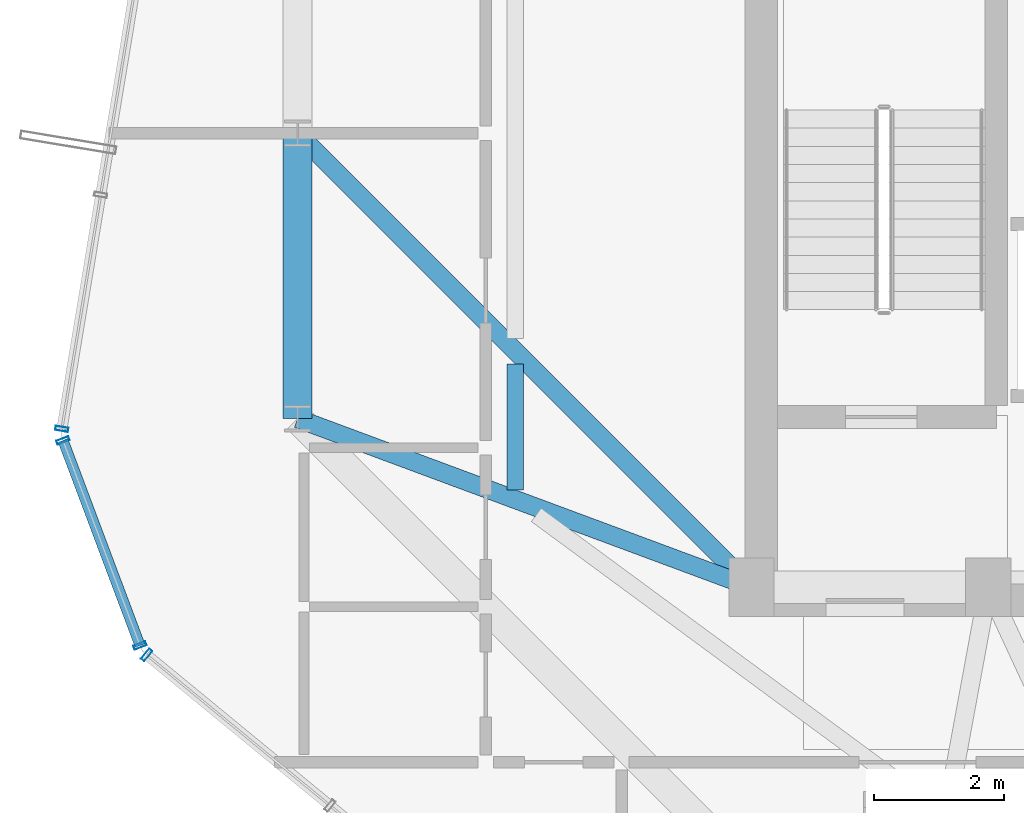
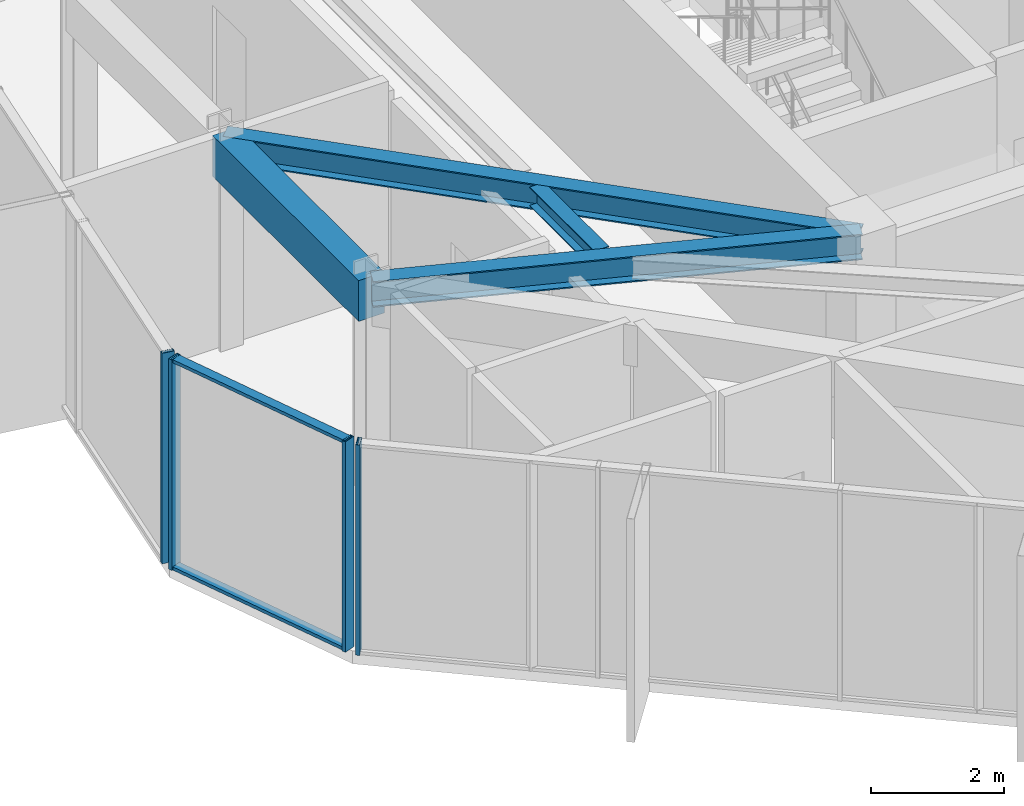
# One storey, part 4 of 22: 6 members, 4 beams, 3 elements without a shape of their own.
"""IFC4 building model written with IfcOpenShell, lengths in metres."""

from ifc_helpers import new_model, si_unit, direction, frame, origin, origin_2d, place, context, subcontext, project, spatial, rectangle, hollow_rectangle, i_section, extrude, source, transform, mapped, material, layer, layer_set, material_profile, profile_set, type_object, element, aggregate, save


model = new_model("IFC4")

# Units and contexts
model_context = context("Model", 3, precision=1e-05, world=origin(), true_north=direction((0.0, 1.0)))
body_context = subcontext(model_context, "Body", "Model", "MODEL_VIEW")
ifc_project = project(units=[si_unit("LENGTHUNIT", "METRE"), si_unit("AREAUNIT", "SQUARE_METRE"), si_unit("VOLUMEUNIT", "CUBIC_METRE"), si_unit("PLANEANGLEUNIT", "RADIAN"), si_unit("MASSUNIT", "GRAM", prefix="KILO")], contexts=[model_context])

# Site, building, storey
site_placement = place(None, origin())
site = spatial("IfcSite", under=ifc_project, at=site_placement, CompositionType="ELEMENT")
building_placement = place(site_placement, origin())
building = spatial("IfcBuilding", under=site, at=building_placement, Name="Veraguas Prism Commons", CompositionType="ELEMENT")
storey_placement = place(building_placement, frame((0.0, 0.0, 240.64990234375)))
storey = spatial("IfcBuildingStorey", under=building, at=storey_placement, Name="L68", CompositionType="ELEMENT", Elevation=240.64990234375)

# Beams
ifc_material_1 = material(Name="Concrete C50/60", Category="concrete")
ifc_material_profile_1 = material_profile(ifc_material_1, rectangle(XDim=0.449951171875, YDim=0.75, at=origin_2d()), Name="RC450X750")
ifc_profile_set_1 = profile_set([ifc_material_profile_1], Name="Concrete C50/60")
beam_type_1 = type_object("IfcBeamType", Name="Perimeter Spandrel Upper RC 450x750", PredefinedType="SPANDREL", material=ifc_profile_set_1)
beam_1_placement = place(storey_placement, frame((10.199951171875, 24.0, 3.489990234375), z_axis=(0.0, -1.0, 0.0), x_axis=(1.0, 0.0, 0.0)))
element("IfcBeam", 1, at=beam_1_placement, inside=storey, type_object=beam_type_1, Name="Perimeter Spandrel Beam L68-SP08", PredefinedType="SPANDREL", context=body_context, shape_type="SweptSolid", body=[
    extrude(rectangle(XDim=0.449951171875, YDim=0.75, at=origin_2d()), origin(), (0.0, 0.0, 1.0), 4.39990234375),
])
ifc_material_2 = material(Name="Steel ASTM A992 Grade 50", Category="steel")
ifc_material_profile_2 = material_profile(ifc_material_2, i_section(OverallWidth=0.25390625, OverallDepth=0.35302734375, WebThickness=0.009521484375, FlangeThickness=0.016357421875, at=origin_2d()), Name="W360X91")
ifc_profile_set_2 = profile_set([ifc_material_profile_2], Name="Steel ASTM A992 Grade 50")
beam_type_2 = type_object("IfcBeamType", Name="Upper Floor Joist W360x91", PredefinedType="JOIST", material=ifc_profile_set_2)
beam_2_placement = place(storey_placement, frame((13.56005859375, 20.442626953125, 3.6884765625), z_axis=(0.0, -1.0, 0.0), x_axis=(1.0, 0.0, 0.0)))
element("IfcBeam", 2, at=beam_2_placement, inside=storey, type_object=beam_type_2, Name="Composite Floor Joist L68-JS08", PredefinedType="JOIST", context=body_context, shape_type="SweptSolid", body=[
    extrude(i_section(OverallWidth=0.25390625, OverallDepth=0.35302734375, WebThickness=0.009521484375, FlangeThickness=0.016357421875, at=origin_2d()), origin(), (0.0, 0.0, 1.0), 1.94189453125),
])
ifc_material_profile_3 = material_profile(ifc_material_2, i_section(OverallWidth=0.282958984375, OverallDepth=0.471923828125, WebThickness=0.013671875, FlangeThickness=0.022216796875, at=origin_2d()), Name="W460X144")
ifc_profile_set_3 = profile_set([ifc_material_profile_3], Name="Steel ASTM A992 Grade 50")
beam_type_3 = type_object("IfcBeamType", Name="Zone 4 Radial Girder W460x144", PredefinedType="BEAM", material=ifc_profile_set_3)
beam_3_placement = place(storey_placement, frame((10.199951171875, 24.0, 3.629150390625), z_axis=(0.707106781187, -0.707106781187, 0.0), x_axis=(0.707106781187, 0.707106781187, 0.0)))
element("IfcBeam", 3, at=beam_3_placement, inside=storey, type_object=beam_type_3, Name="Radial Floor Girder L68-RD08", PredefinedType="BEAM", context=body_context, shape_type="SweptSolid", body=[
    extrude(i_section(OverallWidth=0.282958984375, OverallDepth=0.471923828125, WebThickness=0.013671875, FlangeThickness=0.022216796875, at=origin_2d()), origin(), (0.0, 0.0, 1.0), 9.8994140625),
])
beam_4_placement = place(storey_placement, frame((10.199951171875, 19.60009765625, 3.629150390625), z_axis=(0.937421003341, -0.348198021958, 0.0), x_axis=(0.348198021958, 0.937421003341, 0.0)))
element("IfcBeam", 4, at=beam_4_placement, inside=storey, type_object=beam_type_3, Name="Radial Floor Girder L68-RD09", PredefinedType="BEAM", context=body_context, shape_type="SweptSolid", body=[
    extrude(i_section(OverallWidth=0.282958984375, OverallDepth=0.471923828125, WebThickness=0.013671875, FlangeThickness=0.022216796875, at=origin_2d()), origin(), (0.0, 0.0, 1.0), 7.46728515625),
])

# Curtain wall, member
ifc_material_3 = material(Name="Anodised aluminium EN AW-6063 T6", Category="aluminium")
ifc_layer = layer(ifc_material_3, 0.199951171875, Name="Sky Lobby and Pool Acoustic Curtain Wall", Category="aluminium")
ifc_layer_set = layer_set([ifc_layer], Name="Anodised aluminium EN AW-6063 T6")
curtain_wall_type = type_object("IfcCurtainWallType", Name="Sky Lobby and Pool Acoustic Curtain Wall", PredefinedType="NOTDEFINED", material=ifc_layer_set)
curtain_wall_1_placement = place(storey_placement, origin())
curtain_wall_1 = element("IfcCurtainWall", 5, at=curtain_wall_1_placement, inside=storey, type_object=curtain_wall_type, Name="Tower Facade Curtain Wall L68-F3", PredefinedType="NOTDEFINED")
ifc_material_profile_4 = material_profile(ifc_material_3, hollow_rectangle(XDim=0.06494140625, YDim=0.199951171875, WallThickness=0.00390625, at=origin_2d()), Name="AL65X200X4")
ifc_profile_set_4 = profile_set([ifc_material_profile_4], Name="Anodised aluminium EN AW-6063 T6")
member_type_1 = type_object("IfcMemberType", Name="Curtain Wall Mullion Heavy AL 65x200x4", PredefinedType="MULLION", material=ifc_profile_set_4)
shared_shape_1 = source(origin(), body_context, "Body", "SweptSolid", [
    extrude(hollow_rectangle(XDim=0.06494140625, YDim=0.199951171875, WallThickness=0.00390625, at=origin_2d()), origin(), (0.0, 0.0, 1.0), 3.864990234375),
])
member_1_placement = place(storey_placement, frame((6.564208984375, 19.441650390625, 0.0), z_axis=(0.0, 0.0, 1.0), x_axis=(-0.163670330935, -0.986515089987, 0.0)))
member_1 = element("IfcMember", 6, at=member_1_placement, type_object=member_type_1, Name="CW-SKY Mullion 5", PredefinedType="MULLION", context=body_context, shape_type="MappedRepresentation", body=[
    mapped(shared_shape_1, transform((0.0, 0.0, 0.0), scale=1.0)),
])
aggregate(curtain_wall_1, [member_1])

curtain_wall_2_placement = place(storey_placement, origin())
curtain_wall_2 = element("IfcCurtainWall", 7, at=curtain_wall_2_placement, inside=storey, type_object=curtain_wall_type, Name="Tower Facade Curtain Wall L68-F4", PredefinedType="NOTDEFINED")
member_2_placement = place(storey_placement, frame((7.872802734375, 15.956298828125, 0.0), z_axis=(0.0, 0.0, 1.0), x_axis=(0.772514180242, -0.634997512849, 0.0)))
member_2 = element("IfcMember", 8, at=member_2_placement, type_object=member_type_1, Name="CW-SKY Mullion 1", PredefinedType="MULLION", context=body_context, shape_type="MappedRepresentation", body=[
    mapped(shared_shape_1, transform((0.0, 0.0, 0.0), scale=1.0)),
])
aggregate(curtain_wall_2, [member_2])

# Curtain wall, members
curtain_wall_3_placement = place(storey_placement, origin())
curtain_wall_3 = element("IfcCurtainWall", 9, at=curtain_wall_3_placement, inside=storey, type_object=curtain_wall_type, Name="Chamfer Curtain Wall L68-C4", PredefinedType="NOTDEFINED")
member_3_placement = place(storey_placement, frame((6.581787109375, 19.263671875, 0.0), z_axis=(0.0, 0.0, 1.0), x_axis=(0.351492005204, -0.936190883462, 0.0)))
member_3 = element("IfcMember", 10, at=member_3_placement, type_object=member_type_1, Name="CW-SKY Mullion 1", PredefinedType="MULLION", context=body_context, shape_type="MappedRepresentation", body=[
    mapped(shared_shape_1, transform((0.0, 0.0, 0.0), scale=1.0)),
])
member_4_placement = place(storey_placement, frame((7.768798828125, 16.101806640625, 0.0), z_axis=(0.0, 0.0, 1.0), x_axis=(0.351492005204, -0.936190883462, 0.0)))
member_4 = element("IfcMember", 11, at=member_4_placement, type_object=member_type_1, Name="CW-SKY Mullion 2", PredefinedType="MULLION", context=body_context, shape_type="MappedRepresentation", body=[
    mapped(shared_shape_1, transform((0.0, 0.0, 0.0), scale=1.0)),
])
ifc_material_profile_5 = material_profile(ifc_material_3, hollow_rectangle(XDim=0.06005859375, YDim=0.159912109375, WallThickness=0.0029296875, at=origin_2d()), Name="AL60X160X3")
ifc_profile_set_5 = profile_set([ifc_material_profile_5], Name="Anodised aluminium EN AW-6063 T6")
member_type_2 = type_object("IfcMemberType", Name="Curtain Wall Transom Heavy AL 60x160x3", PredefinedType="USERDEFINED", material=ifc_profile_set_5)
shared_shape_2 = source(origin(), body_context, "Body", "SweptSolid", [
    extrude(hollow_rectangle(XDim=0.06005859375, YDim=0.159912109375, WallThickness=0.0029296875, at=origin_2d()), origin(), (0.0, 0.0, 1.0), 3.37744140625),
])
member_5_placement = place(storey_placement, frame((6.581787109375, 19.263671875, 0.030029296875), z_axis=(0.351464062986, -0.936201373866, 0.0), x_axis=(0.0, 0.0, 1.0)))
member_5 = element("IfcMember", 12, at=member_5_placement, type_object=member_type_2, Name="CW-SKY Transom 1", ObjectType="TRANSOM", PredefinedType="USERDEFINED", context=body_context, shape_type="MappedRepresentation", body=[
    mapped(shared_shape_2, transform((0.0, 0.0, 0.0), scale=1.0)),
])
member_6_placement = place(storey_placement, frame((6.581787109375, 19.263671875, 3.835205078125), z_axis=(0.351464062986, -0.936201373866, 0.0), x_axis=(0.0, 0.0, 1.0)))
member_6 = element("IfcMember", 13, at=member_6_placement, type_object=member_type_2, Name="CW-SKY Transom 2", ObjectType="TRANSOM", PredefinedType="USERDEFINED", context=body_context, shape_type="MappedRepresentation", body=[
    mapped(shared_shape_2, transform((0.0, 0.0, 0.0), scale=1.0)),
])
aggregate(curtain_wall_3, [member_3, member_4, member_5, member_6])

save(model, "model.ifc")
